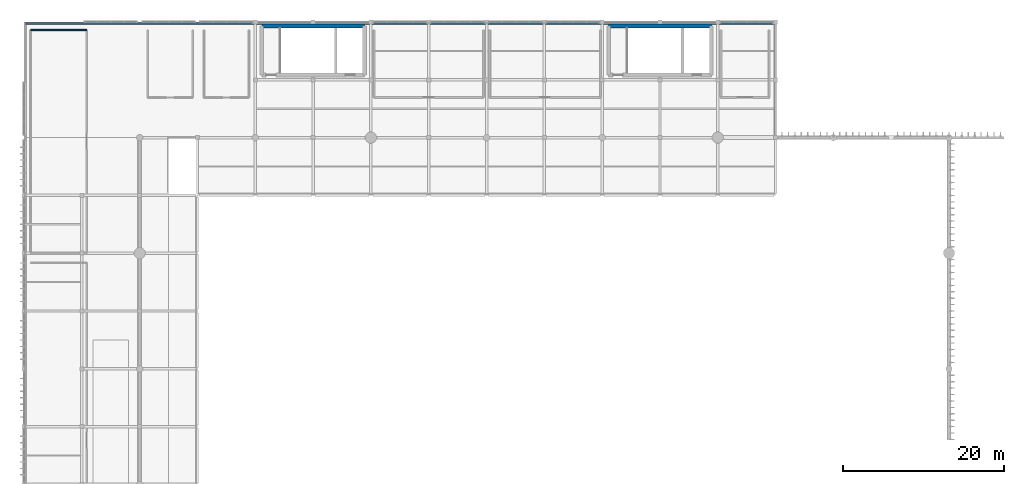
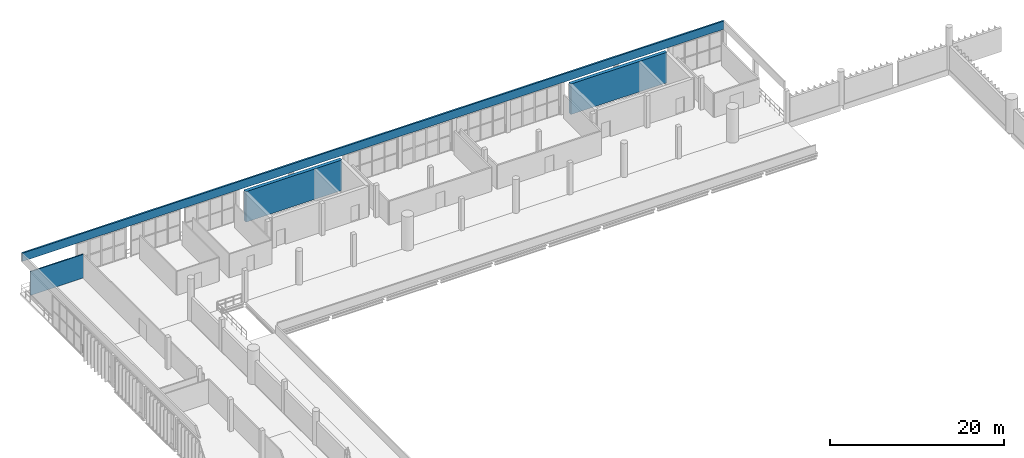
# One storey, part 49 of 64: 4 walls.
"""IFC4 building model written with IfcOpenShell, lengths in metres."""

import ifcopenshell
import ifcopenshell.guid

model = None  # the IFC model being written
_history = None  # IfcOwnerHistory: only IFC2X3 demands one
_inside = {}  # id of a spatial element -> (the spatial element, [elements in it])
_under = {}  # id of a project, library or spatial element -> (it, [spatial elements below it])
_declared = {}  # id of a project -> (the project, [libraries it declares])
_typed = {}  # id of a type object -> (the type object, [elements of that type])
_made_of = {}  # id of a material, layer set ... -> (it, [elements and type objects made of it])


def new_model(schema):
    """Start an empty IFC model of exactly this schema.

    Asked for "IFC4X3", IfcOpenShell would pick the latest addendum, in which some entities
    have other attributes; the version numbers below select the first issue.
    IFC2X3 requires an IfcOwnerHistory on every rooted entity: one is made here for all.
    """
    global model, _history
    if schema == "IFC4X3":
        model = ifcopenshell.file(schema_version=(4, 3, 0, 0))
    else:
        model = ifcopenshell.file(schema=schema)
    _inside.clear()
    _under.clear()
    _declared.clear()
    _typed.clear()
    _made_of.clear()
    _history = None
    if model.schema == "IFC2X3":
        org = make("IfcOrganization", Name="unknown")
        user = make(
            "IfcPersonAndOrganization",
            ThePerson=make("IfcPerson", FamilyName="unknown"),
            TheOrganization=org,
        )
        app = make(
            "IfcApplication",
            ApplicationDeveloper=org,
            Version="unknown",
            ApplicationFullName="unknown",
            ApplicationIdentifier="unknown",
        )
        _history = make(
            "IfcOwnerHistory",
            OwningUser=user,
            OwningApplication=app,
            ChangeAction="ADDED",
            CreationDate=0,
        )
    return model


def make(cls, **values):
    """One entity of the class cls with the attributes given. An attribute that is None is left unset."""
    return model.create_entity(
        cls, **{name: value for name, value in values.items() if value is not None}
    )


def rooted(cls, **values):
    """An entity with a GlobalId (a new one), such as an element, a storey or a relation."""
    return make(cls, GlobalId=ifcopenshell.guid.new(), OwnerHistory=_history, **values)


def si_unit(unit_type, name, prefix=None):
    """IfcSIUnit, for example si_unit("LENGTHUNIT", "METRE", prefix="MILLI")."""
    return make("IfcSIUnit", UnitType=unit_type, Prefix=prefix, Name=name)


def assignment(units):
    """IfcUnitAssignment: the units of a project."""
    return None if units is None else make("IfcUnitAssignment", Units=units)


def point(xyz):
    """IfcCartesianPoint."""
    return None if xyz is None else make("IfcCartesianPoint", Coordinates=xyz)


def direction(xyz):
    """IfcDirection."""
    return None if xyz is None else make("IfcDirection", DirectionRatios=xyz)


def frame(location, z_axis=None, x_axis=None):
    """IfcAxis2Placement3D, a coordinate frame: its origin and axes. An axis left out is left unset."""
    return make(
        "IfcAxis2Placement3D",
        Location=point(location),
        Axis=direction(z_axis),
        RefDirection=direction(x_axis),
    )


def frame_2d(location, x_axis=None):
    """IfcAxis2Placement2D, a coordinate frame in the plane: its origin and x axis."""
    return make(
        "IfcAxis2Placement2D", Location=point(location), RefDirection=direction(x_axis)
    )


def origin():
    """The frame at (0, 0, 0) with its axes left unset."""
    return frame((0.0, 0.0, 0.0))


def place(relative_to, where):
    """IfcLocalPlacement: puts the frame where relative to a parent placement (None: the world)."""
    return make(
        "IfcLocalPlacement", PlacementRelTo=relative_to, RelativePlacement=where
    )


def context(
    kind, dimensions, precision=None, world=None, true_north=None, identifier=None
):
    """IfcGeometricRepresentationContext, for example the 3D "Model" context."""
    return make(
        "IfcGeometricRepresentationContext",
        ContextIdentifier=identifier,
        ContextType=kind,
        CoordinateSpaceDimension=dimensions,
        Precision=precision,
        WorldCoordinateSystem=world,
        TrueNorth=true_north,
    )


def subcontext(parent, identifier, kind, view, scale=None):
    """IfcGeometricRepresentationSubContext, for example "Body" below "Model"."""
    return make(
        "IfcGeometricRepresentationSubContext",
        ContextIdentifier=identifier,
        ContextType=kind,
        ParentContext=parent,
        TargetScale=scale,
        TargetView=view,
    )


def project(units=None, contexts=None):
    """IfcProject with its units and contexts."""
    return rooted(
        "IfcProject",
        Name="project",
        RepresentationContexts=contexts,
        UnitsInContext=assignment(units),
    )


def spatial(cls, under=None, at=None, **own):
    """A site, building, storey or space (cls), placed at a placement, below another one or the project."""
    s = rooted(cls, ObjectPlacement=at, **own)
    if under is not None:
        _under.setdefault(under.id(), (under, []))[1].append(s)
    return s


def profile(cls, at=None, kind="AREA", **sizes):
    """A parametric profile (cls). Its sizes go by their IFC names, for example OverallWidth=200.0."""
    return make(cls, ProfileType=kind, Position=at, **sizes)


def rectangle(**sizes):
    """IfcRectangleProfileDef."""
    return profile("IfcRectangleProfileDef", **sizes)


def extrude(swept, where, along, depth):
    """IfcExtrudedAreaSolid: the profile swept, set in the frame where, extruded along a direction by depth."""
    return make(
        "IfcExtrudedAreaSolid",
        SweptArea=swept,
        Position=where,
        ExtrudedDirection=direction(along),
        Depth=depth,
    )


def shape(context_of_items, identifier, shape_type, items):
    """IfcShapeRepresentation: the items that make up one representation, for example the "Body"."""
    return make(
        "IfcShapeRepresentation",
        ContextOfItems=context_of_items,
        RepresentationIdentifier=identifier,
        RepresentationType=shape_type,
        Items=items,
    )


def material(Name=None, Category=None):
    """IfcMaterial."""
    return make("IfcMaterial", Name=Name, Category=Category)


def layer(
    of_material, thickness, ventilated=None, Name=None, Category=None, Priority=None
):
    """IfcMaterialLayer: one layer of a wall or slab, of a material (None: an air gap)."""
    return make(
        "IfcMaterialLayer",
        Material=of_material,
        LayerThickness=thickness,
        IsVentilated=ventilated,
        Name=Name,
        Category=Category,
        Priority=Priority,
    )


def layer_set(layers, Name=None):
    """IfcMaterialLayerSet."""
    return make("IfcMaterialLayerSet", MaterialLayers=layers, LayerSetName=Name)


def made_of(thing, what):
    """Note that an element or type object is made of a material, layer set ...; save() writes the relation."""
    if what is not None:
        _made_of.setdefault(what.id(), (what, []))[1].append(thing)
    return thing


def type_object(cls, material=None, **own):
    """A type object (cls), such as IfcWallType, which elements share."""
    return made_of(rooted(cls, **own), material)


def element(
    cls,
    number,
    at=None,
    inside=None,
    cuts=None,
    type_object=None,
    material=None,
    context=None,
    identifier="Body",
    shape_type=None,
    held_by="IfcProductDefinitionShape",
    body=None,
    shapes=None,
    **own,
):
    """One element of the class cls, such as IfcWall. Its Tag is "e" and its number.

    at: its placement. inside: the storey or other place that contains it. cuts: it is an
    opening in that element (IfcRelVoidsElement). A single representation is given by context,
    identifier, shape_type and body (its items); several are given by shapes. held_by: the class
    of the entity that holds the representations. save() writes the other relations.
    """
    e = rooted(cls, Tag="e%d" % number, ObjectPlacement=at, **own)
    if body is not None:
        shapes = [shape(context, identifier, shape_type, body)]
    if shapes is not None:
        e.Representation = make(held_by, Representations=shapes)
    if inside is not None:
        _inside.setdefault(inside.id(), (inside, []))[1].append(e)
    if cuts is not None:
        rooted(
            "IfcRelVoidsElement", RelatingBuildingElement=cuts, RelatedOpeningElement=e
        )
    if type_object is not None:
        _typed.setdefault(type_object.id(), (type_object, []))[1].append(e)
    return made_of(e, material)


def aggregate(whole, parts):
    """IfcRelAggregates: a whole, such as a stair, and the parts it consists of."""
    return rooted("IfcRelAggregates", RelatingObject=whole, RelatedObjects=parts)


def save(model, path):
    """Write the relations noted so far, then the file.

    IfcRelAggregates (storeys below a building ...), IfcRelContainedInSpatialStructure (elements
    in a storey), IfcRelDefinesByType, IfcRelAssociatesMaterial and IfcRelDeclares: one each for
    every whole, place, type object, material and project.
    """
    for whole, parts in _under.values():
        aggregate(whole, parts)
    for where, things in _inside.values():
        rooted(
            "IfcRelContainedInSpatialStructure",
            RelatedElements=things,
            RelatingStructure=where,
        )
    for kind, things in _typed.values():
        rooted("IfcRelDefinesByType", RelatedObjects=things, RelatingType=kind)
    for what, things in _made_of.values():
        rooted("IfcRelAssociatesMaterial", RelatedObjects=things, RelatingMaterial=what)
    for by, libraries in _declared.values():
        rooted("IfcRelDeclares", RelatingContext=by, RelatedDefinitions=libraries)
    model.write(path)


model = new_model("IFC4")

# Units and contexts
model_context = context("Model", 3, precision=1e-05, world=origin(), true_north=direction((0.0, 1.0)))
body_context = subcontext(model_context, "Body", "Model", "MODEL_VIEW")
ifc_project = project(units=[si_unit("LENGTHUNIT", "METRE"), si_unit("AREAUNIT", "SQUARE_METRE"), si_unit("VOLUMEUNIT", "CUBIC_METRE"), si_unit("PLANEANGLEUNIT", "RADIAN"), si_unit("MASSUNIT", "GRAM", prefix="KILO")], contexts=[model_context])

# Site, building, storey
site_placement = place(None, origin())
site = spatial("IfcSite", under=ifc_project, at=site_placement, CompositionType="ELEMENT")
building_placement = place(site_placement, origin())
building = spatial("IfcBuilding", under=site, at=building_placement, Name="Qandorah Velis Arena", CompositionType="ELEMENT")
storey_placement = place(building_placement, frame((0.0, 0.0, 23.0)))
storey = spatial("IfcBuildingStorey", under=building, at=storey_placement, Name="L05", CompositionType="ELEMENT", Elevation=23.0)

# Walls
ifc_material_1 = material(Name="Precast concrete C40/50", Category="concrete")
ifc_layer_1 = layer(ifc_material_1, 0.219970703125)
ifc_layer_set_1 = layer_set([ifc_layer_1], Name="Precast concrete C40/50")
wall_type_1 = type_object("IfcWallType", Name="ARC-WAL-PAR220", PredefinedType="PARAPET", material=ifc_layer_set_1)
wall_1_placement = place(storey_placement, frame((0.14990234375, 129.449951171875, 4.5), z_axis=(0.0, 0.0, 1.0), x_axis=(1.0, 0.0, 0.0)))
element("IfcWall", 1, at=wall_1_placement, inside=storey, type_object=wall_type_1, Name="Roof perimeter parapet wall PW-02", PredefinedType="PARAPET", context=body_context, shape_type="SweptSolid", body=[
    extrude(rectangle(XDim=93.300048828125, YDim=0.219970703125, at=frame_2d((46.64990234375, 0.0))), origin(), (0.0, 0.0, 1.0), 1.14990234375),
])
ifc_material_2 = material(Name="Concrete C35/45", Category="concrete")
ifc_layer_2 = layer(ifc_material_2, 0.14990234375)
ifc_layer_set_2 = layer_set([ifc_layer_2], Name="Concrete C35/45")
wall_type_2 = type_object("IfcWallType", Name="ARC-WAL-PART150", PredefinedType="PARTITIONING", material=ifc_layer_set_2)
wall_2_placement = place(storey_placement, frame((7.800048828125, 128.60009765625, 0.0), z_axis=(0.0, 0.0, 1.0), x_axis=(-1.0, 0.0, 0.0)))
element("IfcWall", 2, at=wall_2_placement, inside=storey, type_object=wall_type_2, Name="Interior partition L05-SKY-DIN (N)", PredefinedType="PARTITIONING", context=body_context, shape_type="SweptSolid", body=[
    extrude(rectangle(XDim=7.0, YDim=0.14990234375, at=frame_2d((3.5, 0.0))), origin(), (0.0, 0.0, 1.0), 3.340087890625),
])
ifc_material_3 = material(Name="Concrete C40/50", Category="concrete")
ifc_layer_3 = layer(ifc_material_3, 0.449951171875)
ifc_layer_set_3 = layer_set([ifc_layer_3], Name="Concrete C40/50")
wall_type_3 = type_object("IfcWallType", Name="STR-WAL-CORE450", PredefinedType="SHEAR", material=ifc_layer_set_3)
wall_3_placement = place(storey_placement, frame((29.60009765625, 129.10009765625, 0.0), z_axis=(0.0, 0.0, 1.0), x_axis=(1.0, 0.0, 0.0)))
element("IfcWall", 3, at=wall_3_placement, inside=storey, type_object=wall_type_3, Name="Core CORE-03 shear wall N (L05)", PredefinedType="SHEAR", context=body_context, shape_type="SweptSolid", body=[
    extrude(rectangle(XDim=12.7998046875, YDim=0.449951171875, at=frame_2d((6.39990234375, 0.0))), origin(), (0.0, 0.0, 1.0), 4.280029296875),
])
wall_4_placement = place(storey_placement, frame((72.800048828125, 129.10009765625, 0.0), z_axis=(0.0, 0.0, 1.0), x_axis=(1.0, 0.0, 0.0)))
element("IfcWall", 4, at=wall_4_placement, inside=storey, type_object=wall_type_3, Name="Core CORE-04 shear wall N (L05)", PredefinedType="SHEAR", context=body_context, shape_type="SweptSolid", body=[
    extrude(rectangle(XDim=12.800048828125, YDim=0.449951171875, at=frame_2d((6.39990234375, 0.0))), origin(), (0.0, 0.0, 1.0), 4.280029296875),
])

save(model, "model.ifc")
